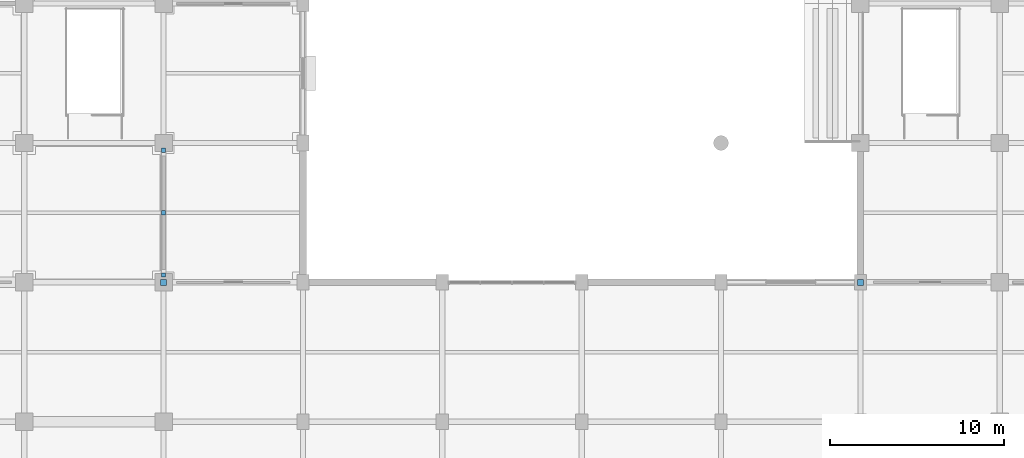
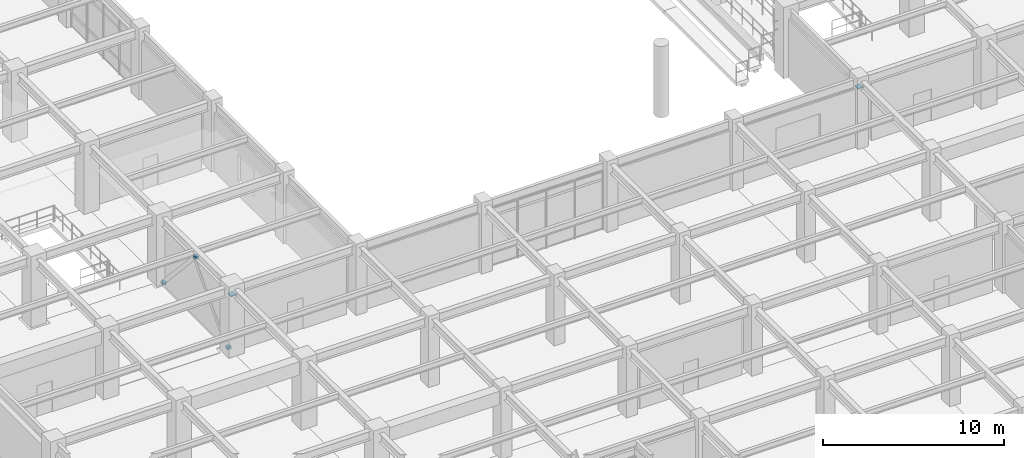
# One storey, part 90 of 117: 5 discrete accessories.
"""IFC4 building model written with IfcOpenShell, lengths in metres."""

from ifc_helpers import new_model, si_unit, direction, frame, origin, origin_2d, place, context, subcontext, project, spatial, rectangle, extrude, material, layer, layer_set, type_object, element, save


model = new_model("IFC4")

# Units and contexts
model_context = context("Model", 3, precision=1e-05, world=origin(), true_north=direction((0.0, 1.0)))
body_context = subcontext(model_context, "Body", "Model", "MODEL_VIEW")
ifc_project = project(units=[si_unit("LENGTHUNIT", "METRE"), si_unit("AREAUNIT", "SQUARE_METRE"), si_unit("VOLUMEUNIT", "CUBIC_METRE"), si_unit("PLANEANGLEUNIT", "RADIAN"), si_unit("MASSUNIT", "GRAM", prefix="KILO")], contexts=[model_context])

# Site, building, storey
site_placement = place(None, origin())
site = spatial("IfcSite", under=ifc_project, at=site_placement, CompositionType="ELEMENT")
building_placement = place(site_placement, origin())
building = spatial("IfcBuilding", under=site, at=building_placement, Name="Haebicheon Civic Stadium", CompositionType="ELEMENT")
storey_placement = place(building_placement, frame((0.0, 0.0, 4.800048828125)))
storey = spatial("IfcBuildingStorey", under=building, at=storey_placement, Name="L02", CompositionType="ELEMENT", Elevation=4.800048828125)

# Discrete accessories
ifc_material_1 = material(Name="Steel SM490", Category="steel")
ifc_layer_1 = layer(ifc_material_1, 0.080078125, Name="Steel SM490")
ifc_layer_set_1 = layer_set([ifc_layer_1], Name="Steel SM490")
discrete_accessory_type_1 = type_object("IfcDiscreteAccessoryType", Name="BRG-PTFE-350", PredefinedType="SHOE", material=ifc_layer_set_1)
for number, where, z_axis, x_axis, name in (
    (1, (160.0, 48.0, 3.81982421875), (0.0, 0.0, 1.0), (1.0, 0.0, 0.0), "Movement joint unguided PTFE sliding bearing 5"),
    (2, (200.0, 48.0, 3.81982421875), (0.0, 0.0, 1.0), (1.0, 0.0, 0.0), "Movement joint unguided PTFE sliding bearing 11"),
):
    element("IfcDiscreteAccessory", number, at=place(storey_placement, frame(where, z_axis=z_axis, x_axis=x_axis)), inside=storey, type_object=discrete_accessory_type_1, material=ifc_layer_set_1, Name=name, PredefinedType="SHOE", context=body_context, shape_type="SweptSolid", body=[
        extrude(rectangle(XDim=0.35009765625, YDim=0.35009765625, at=origin_2d()), origin(), (0.0, 0.0, 1.0), 0.080078125),
    ])
ifc_material_2 = material(Name="White painted steel SM490", Category="steel")
ifc_layer_2 = layer(ifc_material_2, 0.179931640625, Name="White painted steel SM490")
ifc_layer_set_2 = layer_set([ifc_layer_2], Name="White painted steel SM490")
discrete_accessory_type_2 = type_object("IfcDiscreteAccessoryType", Name="BRK-END-PLT", PredefinedType="BRACKET", material=ifc_layer_set_2)
for number, where, z_axis, x_axis, name in (
    (3, (160.0, 48.419921875, -0.0498046875), (0.0, 0.0, 1.0), (1.0, 0.0, 0.0), "Brace L02-19-06 bolted end connection plate"),
    (4, (160.0, 55.580078125, -0.0498046875), (0.0, 0.0, 1.0), (1.0, 0.0, 0.0), "Brace L02-19-06 bolted end connection plate"),
    (5, (160.0, 52.0, 3.85009765625), (0.0, 0.0, 1.0), (1.0, 0.0, 0.0), "Brace L02-19-06 bolted end connection plate"),
):
    element("IfcDiscreteAccessory", number, at=place(storey_placement, frame(where, z_axis=z_axis, x_axis=x_axis)), inside=storey, type_object=discrete_accessory_type_2, material=ifc_layer_set_2, Name=name, PredefinedType="BRACKET", context=body_context, shape_type="SweptSolid", body=[
        extrude(rectangle(XDim=0.239990234375, YDim=0.239990234375, at=origin_2d()), origin(), (0.0, 0.0, 1.0), 0.179931640625),
    ])

save(model, "model.ifc")
